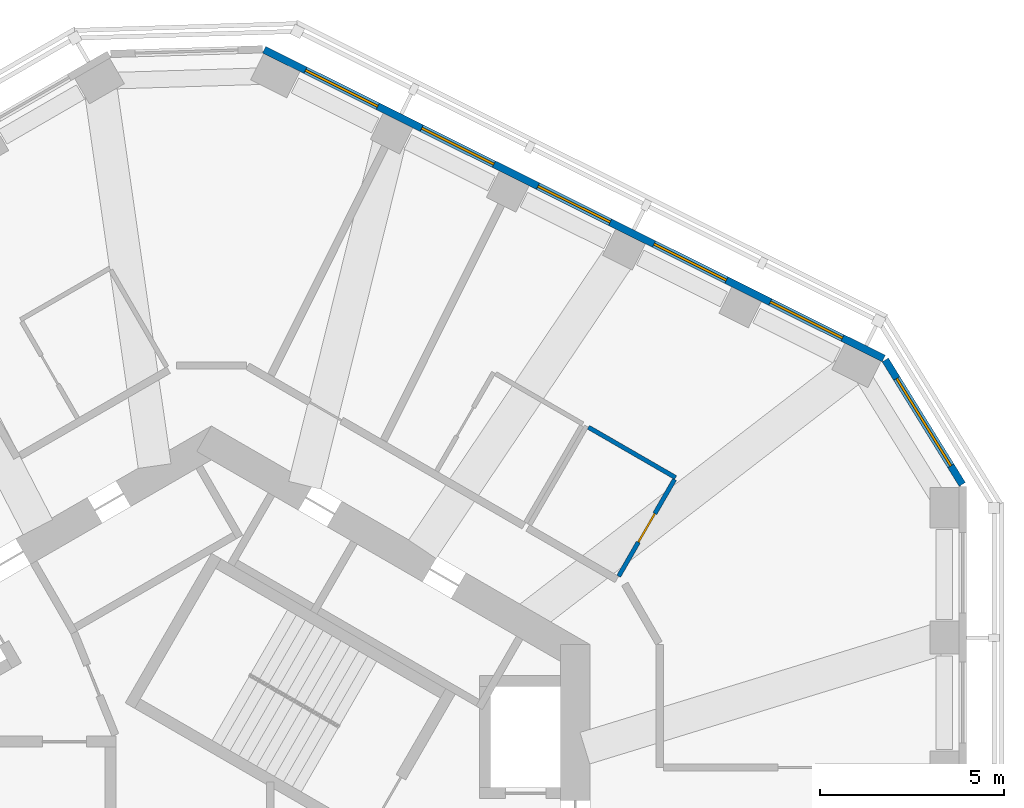
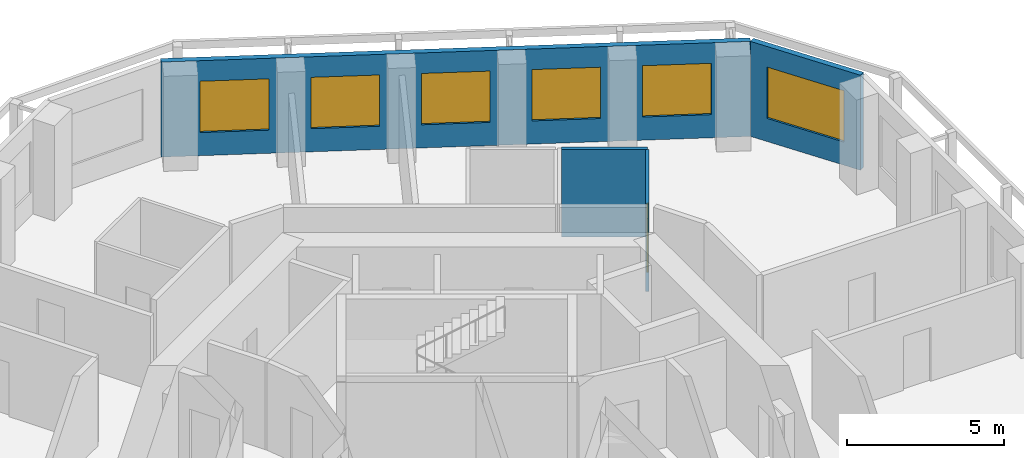
# One storey, part 8 of 11: 6 windows, 4 walls, 1 door, 7 openings.
"""IFC4 building model written with IfcOpenShell, lengths in metres."""

from ifc_helpers import new_model, si_unit, direction, frame, frame_2d, origin, place, context, subcontext, project, spatial, rectangle, extrude, material, layer, layer_set, type_object, element, fill, save


model = new_model("IFC4")

# Units and contexts
model_context = context("Model", 3, precision=1e-05, world=origin(), true_north=direction((0.0, 1.0)))
body_context = subcontext(model_context, "Body", "Model", "MODEL_VIEW")
ifc_project = project(units=[si_unit("LENGTHUNIT", "METRE"), si_unit("AREAUNIT", "SQUARE_METRE"), si_unit("VOLUMEUNIT", "CUBIC_METRE"), si_unit("PLANEANGLEUNIT", "RADIAN"), si_unit("MASSUNIT", "GRAM", prefix="KILO")], contexts=[model_context])

# Site, building, storey
site_placement = place(None, origin())
site = spatial("IfcSite", under=ifc_project, at=site_placement, CompositionType="ELEMENT")
building_placement = place(site_placement, origin())
building = spatial("IfcBuilding", under=site, at=building_placement, Name="Vanh Sen Convention Tower", CompositionType="ELEMENT")
storey_placement = place(building_placement, frame((0.0, 0.0, 229.10009765625)))
storey = spatial("IfcBuildingStorey", under=building, at=storey_placement, Name="L56", CompositionType="ELEMENT", Elevation=229.10009765625)

# Wall
ifc_material_1 = material(Name="Moisture-resistant gypsum board on steel studs", Category="steel")
ifc_layer_1 = layer(ifc_material_1, 0.1201171875)
ifc_layer_set_1 = layer_set([ifc_layer_1], Name="Moisture-resistant gypsum board on steel studs")
wall_type_1 = type_object("IfcWallType", Name="Bathroom partition 120", PredefinedType="PARTITIONING", material=ifc_layer_set_1)
wall_1_placement = place(storey_placement, frame((10.260498046875, 11.8583984375, 0.0), z_axis=(0.0, 0.0, 1.0), x_axis=(0.866019409031, -0.500010383074, 0.0)))
element("IfcWall", 1, at=wall_1_placement, inside=storey, type_object=wall_type_1, Name="Bathroom partition 120", PredefinedType="PARTITIONING", context=body_context, shape_type="SweptSolid", body=[
    extrude(rectangle(XDim=2.740234375, YDim=0.1201171875, at=frame_2d((1.3701171875, 0.0))), origin(), (0.0, 0.0, 1.0), 3.419921875),
])

# Wall, opening, door
wall_2_placement = place(storey_placement, frame((12.603515625, 10.436279296875, 0.0), z_axis=(0.0, 0.0, 1.0), x_axis=(-0.500026023896, -0.86601037836, 0.0)))
wall_2 = element("IfcWall", 2, at=wall_2_placement, inside=storey, type_object=wall_type_1, Name="Bathroom partition 120", PredefinedType="PARTITIONING", context=body_context, shape_type="SweptSolid", body=[
    extrude(rectangle(XDim=3.039794921875, YDim=0.1201171875, at=frame_2d((1.52001953125, 0.0))), origin(), (0.0, 0.0, 1.0), 3.419921875),
])
opening_1_placement = place(wall_2_placement, frame((1.070068359375, 0.0, 0.0)))
opening_1 = element("IfcOpeningElement", 3, at=opening_1_placement, cuts=wall_2, Name="Opening D56102", PredefinedType="OPENING", context=body_context, shape_type="SweptSolid", body=[
    extrude(rectangle(XDim=0.89990234375, YDim=2.10009765625, at=frame_2d((0.449951171875, 1.050048828125))), frame((0.0, 0.070068359375, 0.0), z_axis=(0.0, -1.0, 0.0), x_axis=(1.0, 0.0, 0.0)), (0.0, 0.0, 1.0), 0.14013671875),
])
ifc_material_2 = material(Name="Laminate door in steel frame", Category="steel")
door_type = type_object("IfcDoorType", Name="Room internal door 900", OperationType="SINGLE_SWING_LEFT", PredefinedType="DOOR", material=ifc_material_2)
door_placement = place(opening_1_placement, origin())
door = element("IfcDoor", 4, at=door_placement, inside=storey, type_object=door_type, Name="Internal room door D56102", OperationType="SINGLE_SWING_LEFT", OverallHeight=2.10009765625, OverallWidth=0.89990234375, PredefinedType="DOOR", context=body_context, shape_type="SweptSolid", body=[
    extrude(rectangle(XDim=0.89990234375, YDim=2.10009765625, at=frame_2d((0.449951171875, 1.050048828125))), frame((0.0, 0.02490234375, 0.0), z_axis=(0.0, -1.0, 0.0), x_axis=(1.0, 0.0, 0.0)), (0.0, 0.0, 1.0), 0.050048828125),
])
fill(opening_1, door)

# Wall, opening, window
ifc_material_3 = material(Name="Insulated lightweight infill wall")
ifc_layer_2 = layer(ifc_material_3, 0.199951171875)
ifc_layer_set_2 = layer_set([ifc_layer_2], Name="Insulated lightweight infill wall")
wall_type_2 = type_object("IfcWallType", Name="External wall 200", PredefinedType="STANDARD", material=ifc_layer_set_2)
wall_3_placement = place(storey_placement, frame((20.43505859375, 10.3037109375, 0.0), z_axis=(0.0, 0.0, 1.0), x_axis=(-0.526202661606, 0.850359194058, 0.0)))
wall_3 = element("IfcWall", 5, at=wall_3_placement, inside=storey, type_object=wall_type_2, Name="External wall CH1 L56", PredefinedType="STANDARD", context=body_context, shape_type="SweptSolid", body=[
    extrude(rectangle(XDim=3.982666015625, YDim=0.199951171875, at=frame_2d((1.9912109375, 0.0))), origin(), (0.0, 0.0, 1.0), 3.699951171875),
])
opening_2_placement = place(wall_3_placement, frame((0.59130859375, 0.0, 0.89990234375)))
opening_2 = element("IfcOpeningElement", 6, at=opening_2_placement, cuts=wall_3, Name="Opening WO4-CH11", PredefinedType="OPENING", context=body_context, shape_type="SweptSolid", body=[
    extrude(rectangle(XDim=2.800048828125, YDim=2.0, at=frame_2d((1.39990234375, 1.0))), frame((0.0, 0.10986328125, 0.0), z_axis=(0.0, -1.0, 0.0), x_axis=(1.0, 0.0, 0.0)), (0.0, 0.0, 1.0), 0.219970703125),
])
ifc_material_4 = material(Name="Aluminium frame with clear low-emissivity glass", Category="aluminium")
window_type_1 = type_object("IfcWindowType", Name="Office window 2800 x 2000", PartitioningType="SINGLE_PANEL", PredefinedType="WINDOW", material=ifc_material_4)
window_1_placement = place(opening_2_placement, origin())
window_1 = element("IfcWindow", 7, at=window_1_placement, inside=storey, type_object=window_type_1, Name="Window WO4-CH11", OverallHeight=2.0, OverallWidth=2.800048828125, PartitioningType="SINGLE_PANEL", PredefinedType="WINDOW", context=body_context, shape_type="SweptSolid", body=[
    extrude(rectangle(XDim=2.800048828125, YDim=2.0, at=frame_2d((1.39990234375, 1.0))), frame((0.0, 0.030029296875, 0.0), z_axis=(0.0, -1.0, 0.0), x_axis=(1.0, 0.0, 0.0)), (0.0, 0.0, 1.0), 0.06005859375),
])
fill(opening_2, window_1)

# Wall, openings, windows
wall_4_placement = place(storey_placement, frame((18.298828125, 13.727294921875, 0.0), z_axis=(0.0, 0.0, 1.0), x_axis=(-0.894934554817, 0.44619742558, 0.0)))
wall_4 = element("IfcWall", 8, at=wall_4_placement, inside=storey, type_object=wall_type_2, Name="External wall NE L56", PredefinedType="STANDARD", context=body_context, shape_type="SweptSolid", body=[
    extrude(rectangle(XDim=18.84130859375, YDim=0.199951171875, at=frame_2d((9.420654296875, 0.0))), origin(), (0.0, 0.0, 1.0), 3.699951171875),
])
opening_3_placement = place(wall_4_placement, frame((1.252685546875, 0.0, 0.89990234375)))
opening_3 = element("IfcOpeningElement", 9, at=opening_3_placement, cuts=wall_4, Name="Opening WO3-NE1", PredefinedType="OPENING", context=body_context, shape_type="SweptSolid", body=[
    extrude(rectangle(XDim=2.199951171875, YDim=2.0, at=frame_2d((1.10009765625, 1.0))), frame((0.0, 0.10986328125, 0.0), z_axis=(0.0, -1.0, 0.0), x_axis=(1.0, 0.0, 0.0)), (0.0, 0.0, 1.0), 0.219970703125),
])
opening_4_placement = place(wall_4_placement, frame((4.7861328125, 0.0, 0.89990234375)))
opening_4 = element("IfcOpeningElement", 10, at=opening_4_placement, cuts=wall_4, Name="Opening WO3-NE2", PredefinedType="OPENING", context=body_context, shape_type="SweptSolid", body=[
    extrude(rectangle(XDim=2.199951171875, YDim=2.0, at=frame_2d((1.10009765625, 1.0))), frame((0.0, 0.10986328125, 0.0), z_axis=(0.0, -1.0, 0.0), x_axis=(1.0, 0.0, 0.0)), (0.0, 0.0, 1.0), 0.219970703125),
])
opening_5_placement = place(wall_4_placement, frame((8.31982421875, 0.0, 0.89990234375)))
opening_5 = element("IfcOpeningElement", 11, at=opening_5_placement, cuts=wall_4, Name="Opening WO3-NE3", PredefinedType="OPENING", context=body_context, shape_type="SweptSolid", body=[
    extrude(rectangle(XDim=2.199951171875, YDim=2.0, at=frame_2d((1.10009765625, 1.0))), frame((0.0, 0.10986328125, 0.0), z_axis=(0.0, -1.0, 0.0), x_axis=(1.0, 0.0, 0.0)), (0.0, 0.0, 1.0), 0.219970703125),
])
opening_6_placement = place(wall_4_placement, frame((11.853515625, 0.0, 0.89990234375)))
opening_6 = element("IfcOpeningElement", 12, at=opening_6_placement, cuts=wall_4, Name="Opening WO3-NE4", PredefinedType="OPENING", context=body_context, shape_type="SweptSolid", body=[
    extrude(rectangle(XDim=2.199951171875, YDim=2.0, at=frame_2d((1.10009765625, 1.0))), frame((0.0, 0.10986328125, 0.0), z_axis=(0.0, -1.0, 0.0), x_axis=(1.0, 0.0, 0.0)), (0.0, 0.0, 1.0), 0.219970703125),
])
opening_7_placement = place(wall_4_placement, frame((15.38720703125, 0.0, 0.89990234375)))
opening_7 = element("IfcOpeningElement", 13, at=opening_7_placement, cuts=wall_4, Name="Opening WO3-NE5", PredefinedType="OPENING", context=body_context, shape_type="SweptSolid", body=[
    extrude(rectangle(XDim=2.199951171875, YDim=2.0, at=frame_2d((1.10009765625, 1.0))), frame((0.0, 0.10986328125, 0.0), z_axis=(0.0, -1.0, 0.0), x_axis=(1.0, 0.0, 0.0)), (0.0, 0.0, 1.0), 0.219970703125),
])
window_type_2 = type_object("IfcWindowType", Name="Office window 2200 x 2000", PartitioningType="SINGLE_PANEL", PredefinedType="WINDOW", material=ifc_material_4)
window_2_placement = place(opening_3_placement, origin())
window_2 = element("IfcWindow", 14, at=window_2_placement, inside=storey, type_object=window_type_2, Name="Window WO3-NE1", OverallHeight=2.0, OverallWidth=2.199951171875, PartitioningType="SINGLE_PANEL", PredefinedType="WINDOW", context=body_context, shape_type="SweptSolid", body=[
    extrude(rectangle(XDim=2.199951171875, YDim=2.0, at=frame_2d((1.10009765625, 1.0))), frame((0.0, 0.030029296875, 0.0), z_axis=(0.0, -1.0, 0.0), x_axis=(1.0, 0.0, 0.0)), (0.0, 0.0, 1.0), 0.06005859375),
])
fill(opening_3, window_2)
window_3_placement = place(opening_4_placement, origin())
window_3 = element("IfcWindow", 15, at=window_3_placement, inside=storey, type_object=window_type_2, Name="Window WO3-NE2", OverallHeight=2.0, OverallWidth=2.199951171875, PartitioningType="SINGLE_PANEL", PredefinedType="WINDOW", context=body_context, shape_type="SweptSolid", body=[
    extrude(rectangle(XDim=2.199951171875, YDim=2.0, at=frame_2d((1.10009765625, 1.0))), frame((0.0, 0.030029296875, 0.0), z_axis=(0.0, -1.0, 0.0), x_axis=(1.0, 0.0, 0.0)), (0.0, 0.0, 1.0), 0.06005859375),
])
fill(opening_4, window_3)
window_4_placement = place(opening_5_placement, origin())
window_4 = element("IfcWindow", 16, at=window_4_placement, inside=storey, type_object=window_type_2, Name="Window WO3-NE3", OverallHeight=2.0, OverallWidth=2.199951171875, PartitioningType="SINGLE_PANEL", PredefinedType="WINDOW", context=body_context, shape_type="SweptSolid", body=[
    extrude(rectangle(XDim=2.199951171875, YDim=2.0, at=frame_2d((1.10009765625, 1.0))), frame((0.0, 0.030029296875, 0.0), z_axis=(0.0, -1.0, 0.0), x_axis=(1.0, 0.0, 0.0)), (0.0, 0.0, 1.0), 0.06005859375),
])
fill(opening_5, window_4)
window_5_placement = place(opening_6_placement, origin())
window_5 = element("IfcWindow", 17, at=window_5_placement, inside=storey, type_object=window_type_2, Name="Window WO3-NE4", OverallHeight=2.0, OverallWidth=2.199951171875, PartitioningType="SINGLE_PANEL", PredefinedType="WINDOW", context=body_context, shape_type="SweptSolid", body=[
    extrude(rectangle(XDim=2.199951171875, YDim=2.0, at=frame_2d((1.10009765625, 1.0))), frame((0.0, 0.030029296875, 0.0), z_axis=(0.0, -1.0, 0.0), x_axis=(1.0, 0.0, 0.0)), (0.0, 0.0, 1.0), 0.06005859375),
])
fill(opening_6, window_5)
window_6_placement = place(opening_7_placement, origin())
window_6 = element("IfcWindow", 18, at=window_6_placement, inside=storey, type_object=window_type_2, Name="Window WO3-NE5", OverallHeight=2.0, OverallWidth=2.199951171875, PartitioningType="SINGLE_PANEL", PredefinedType="WINDOW", context=body_context, shape_type="SweptSolid", body=[
    extrude(rectangle(XDim=2.199951171875, YDim=2.0, at=frame_2d((1.10009765625, 1.0))), frame((0.0, 0.030029296875, 0.0), z_axis=(0.0, -1.0, 0.0), x_axis=(1.0, 0.0, 0.0)), (0.0, 0.0, 1.0), 0.06005859375),
])
fill(opening_7, window_6)

save(model, "model.ifc")
